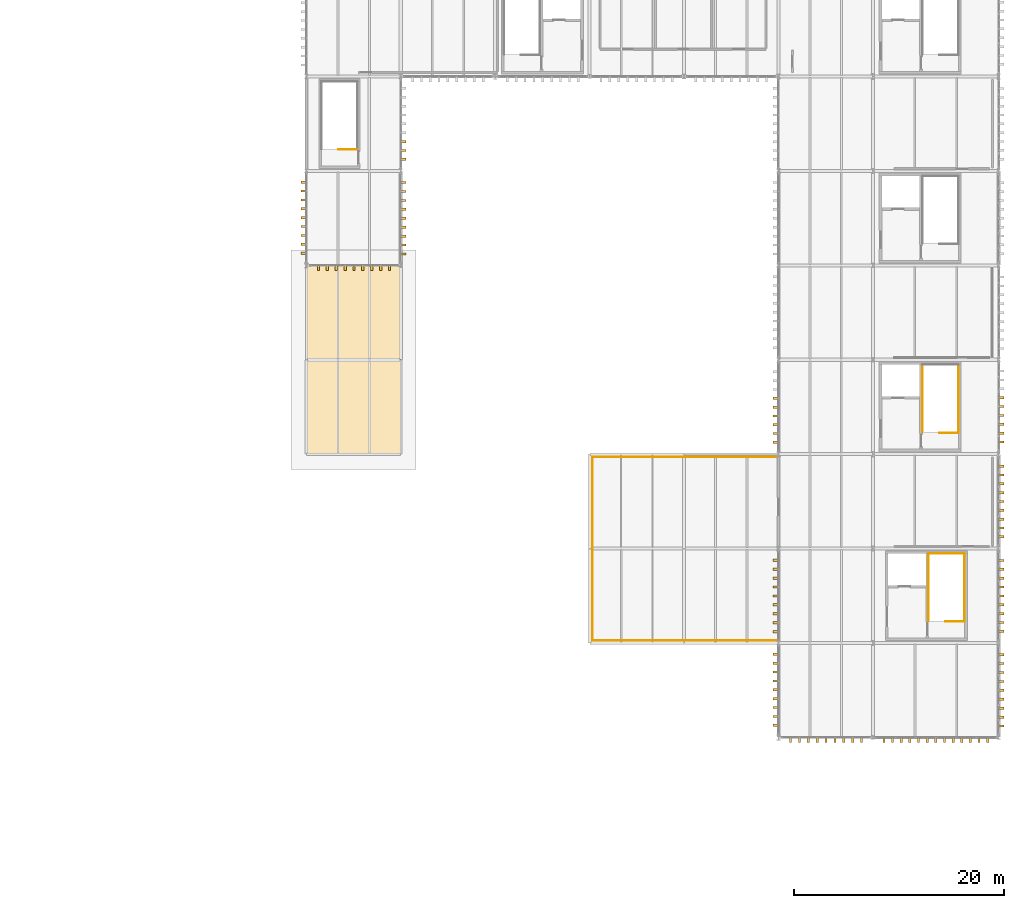
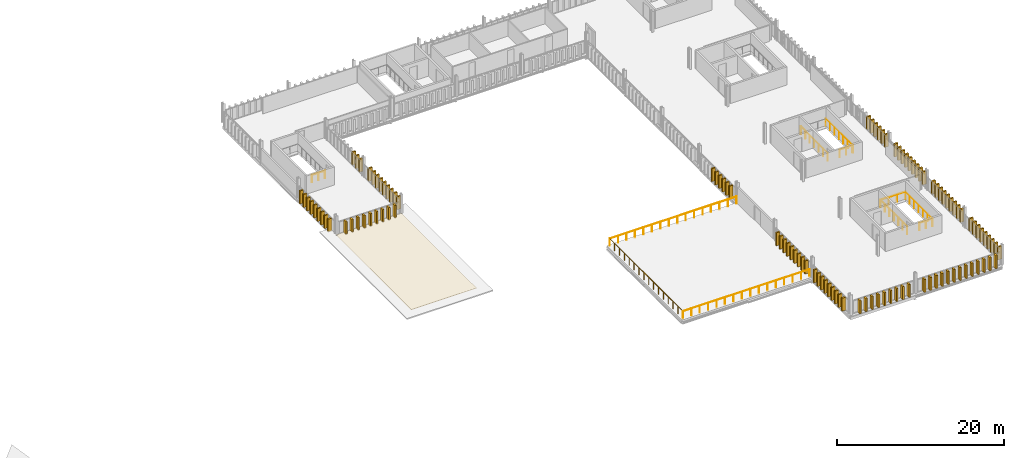
# One storey, part 56 of 58: 109 shading devices, 11 railings, 1 covering.
"""IFC4 building model written with IfcOpenShell, lengths in metres."""

from ifc_helpers import new_model, si_unit, direction, frame, origin, origin_2d, place, context, subcontext, project, spatial, polyline, rectangle, circle, outline, extrude, material, layer, layer_set, type_object, element, save


model = new_model("IFC4")

# Units and contexts
model_context = context("Model", 3, precision=1e-05, world=origin(), true_north=direction((0.0, 1.0)))
body_context = subcontext(model_context, "Body", "Model", "MODEL_VIEW")
ifc_project = project(units=[si_unit("LENGTHUNIT", "METRE"), si_unit("AREAUNIT", "SQUARE_METRE"), si_unit("VOLUMEUNIT", "CUBIC_METRE"), si_unit("PLANEANGLEUNIT", "RADIAN"), si_unit("MASSUNIT", "GRAM", prefix="KILO")], contexts=[model_context])

# Site, building, storey
site_placement = place(None, origin())
site = spatial("IfcSite", under=ifc_project, at=site_placement, CompositionType="ELEMENT")
building_placement = place(site_placement, origin())
building = spatial("IfcBuilding", under=site, at=building_placement, Name="Barlavento Convention Centre", CompositionType="ELEMENT")
storey_placement = place(building_placement, frame((0.0, 0.0, 26.800048828125)))
storey = spatial("IfcBuildingStorey", under=building, at=storey_placement, Name="L05", CompositionType="ELEMENT", Elevation=26.800048828125)

# Covering
ifc_material_1 = material(Name="Insulated typhoon waterproof roofing membrane")
ifc_layer = layer(ifc_material_1, 0.0400390625)
ifc_layer_set = layer_set([ifc_layer], Name="ARC-COV-ROOFING-40")
covering_type = type_object("IfcCoveringType", Name="ARC-COV-ROOFING-40", PredefinedType="ROOFING", material=ifc_layer_set)
covering_placement = place(storey_placement, frame((0.0, 0.0, 0.050048828125)))
element("IfcCovering", 1, at=covering_placement, inside=storey, type_object=covering_type, Name="L05 insulated waterproof roof covering", PredefinedType="ROOFING", context=body_context, shape_type="SweptSolid", body=[
    extrude(outline(polyline([(126.0, 54.0), (135.0, 54.0), (135.0, 72.0), (126.0, 72.0), (126.0, 54.0)])), origin(), (0.0, 0.0, 1.0), 0.039794921875),
])

# Railings
ifc_material_2 = material(Name="Stainless steel and laminated glass balustrade", Category="steel")
railing_type = type_object("IfcRailingType", Name="ARC-RAL-BAL-1100", PredefinedType="BALUSTRADE", material=ifc_material_2)
railing_1_placement = place(storey_placement, frame((153.25, 36.25, 0.0)))
element("IfcRailing", 2, at=railing_1_placement, inside=storey, type_object=railing_type, Name="L05 terrace balustrade GR01", PredefinedType="BALUSTRADE", context=body_context, shape_type="SweptSolid", body=[
    extrude(circle(Radius=0.02392578125, at=origin_2d()), frame((0.0, 0.0, 1.076171875), z_axis=(1.0, 0.0, 0.0), x_axis=(0.0, 1.0, 0.0)), (0.0, 0.0, 1.0), 17.5),
    extrude(circle(Radius=0.02099609375, at=origin_2d()), origin(), (0.0, 0.0, 1.0), 1.052001953125),
    extrude(circle(Radius=0.02099609375, at=origin_2d()), frame((1.166748046875, 0.0, 0.0)), (0.0, 0.0, 1.0), 1.052001953125),
    extrude(circle(Radius=0.02099609375, at=origin_2d()), frame((2.333251953125, 0.0, 0.0)), (0.0, 0.0, 1.0), 1.052001953125),
    extrude(circle(Radius=0.02099609375, at=origin_2d()), frame((3.5, 0.0, 0.0)), (0.0, 0.0, 1.0), 1.052001953125),
    extrude(circle(Radius=0.02099609375, at=origin_2d()), frame((4.666748046875, 0.0, 0.0)), (0.0, 0.0, 1.0), 1.052001953125),
    extrude(circle(Radius=0.02099609375, at=origin_2d()), frame((5.833251953125, 0.0, 0.0)), (0.0, 0.0, 1.0), 1.052001953125),
    extrude(circle(Radius=0.02099609375, at=origin_2d()), frame((7.0, 0.0, 0.0)), (0.0, 0.0, 1.0), 1.052001953125),
    extrude(circle(Radius=0.02099609375, at=origin_2d()), frame((8.166748046875, 0.0, 0.0)), (0.0, 0.0, 1.0), 1.052001953125),
    extrude(circle(Radius=0.02099609375, at=origin_2d()), frame((9.333251953125, 0.0, 0.0)), (0.0, 0.0, 1.0), 1.052001953125),
    extrude(circle(Radius=0.02099609375, at=origin_2d()), frame((10.5, 0.0, 0.0)), (0.0, 0.0, 1.0), 1.052001953125),
    extrude(circle(Radius=0.02099609375, at=origin_2d()), frame((11.666748046875, 0.0, 0.0)), (0.0, 0.0, 1.0), 1.052001953125),
    extrude(circle(Radius=0.02099609375, at=origin_2d()), frame((12.833251953125, 0.0, 0.0)), (0.0, 0.0, 1.0), 1.052001953125),
    extrude(circle(Radius=0.02099609375, at=origin_2d()), frame((14.0, 0.0, 0.0)), (0.0, 0.0, 1.0), 1.052001953125),
    extrude(circle(Radius=0.02099609375, at=origin_2d()), frame((15.166748046875, 0.0, 0.0)), (0.0, 0.0, 1.0), 1.052001953125),
    extrude(circle(Radius=0.02099609375, at=origin_2d()), frame((16.333251953125, 0.0, 0.0)), (0.0, 0.0, 1.0), 1.052001953125),
    extrude(circle(Radius=0.02099609375, at=origin_2d()), frame((17.5, 0.0, 0.0)), (0.0, 0.0, 1.0), 1.052001953125),
])
railing_2_placement = place(storey_placement, frame((153.25, 36.25, 0.0)))
element("IfcRailing", 3, at=railing_2_placement, inside=storey, type_object=railing_type, Name="L05 terrace balustrade GR01", PredefinedType="BALUSTRADE", context=body_context, shape_type="SweptSolid", body=[
    extrude(circle(Radius=0.02392578125, at=origin_2d()), frame((0.0, 0.0, 1.076171875), z_axis=(0.0, 1.0, 0.0), x_axis=(-1.0, 0.0, 0.0)), (0.0, 0.0, 1.0), 17.5),
    extrude(circle(Radius=0.02099609375, at=origin_2d()), origin(), (0.0, 0.0, 1.0), 1.052001953125),
    extrude(circle(Radius=0.02099609375, at=origin_2d()), frame((0.0, 1.166748046875, 0.0)), (0.0, 0.0, 1.0), 1.052001953125),
    extrude(circle(Radius=0.02099609375, at=origin_2d()), frame((0.0, 2.333251953125, 0.0)), (0.0, 0.0, 1.0), 1.052001953125),
    extrude(circle(Radius=0.02099609375, at=origin_2d()), frame((0.0, 3.5, 0.0)), (0.0, 0.0, 1.0), 1.052001953125),
    extrude(circle(Radius=0.02099609375, at=origin_2d()), frame((0.0, 4.666748046875, 0.0)), (0.0, 0.0, 1.0), 1.052001953125),
    extrude(circle(Radius=0.02099609375, at=origin_2d()), frame((0.0, 5.833251953125, 0.0)), (0.0, 0.0, 1.0), 1.052001953125),
    extrude(circle(Radius=0.02099609375, at=origin_2d()), frame((0.0, 7.0, 0.0)), (0.0, 0.0, 1.0), 1.052001953125),
    extrude(circle(Radius=0.02099609375, at=origin_2d()), frame((0.0, 8.166748046875, 0.0)), (0.0, 0.0, 1.0), 1.052001953125),
    extrude(circle(Radius=0.02099609375, at=origin_2d()), frame((0.0, 9.333251953125, 0.0)), (0.0, 0.0, 1.0), 1.052001953125),
    extrude(circle(Radius=0.02099609375, at=origin_2d()), frame((0.0, 10.5, 0.0)), (0.0, 0.0, 1.0), 1.052001953125),
    extrude(circle(Radius=0.02099609375, at=origin_2d()), frame((0.0, 11.666748046875, 0.0)), (0.0, 0.0, 1.0), 1.052001953125),
    extrude(circle(Radius=0.02099609375, at=origin_2d()), frame((0.0, 12.833251953125, 0.0)), (0.0, 0.0, 1.0), 1.052001953125),
    extrude(circle(Radius=0.02099609375, at=origin_2d()), frame((0.0, 14.0, 0.0)), (0.0, 0.0, 1.0), 1.052001953125),
    extrude(circle(Radius=0.02099609375, at=origin_2d()), frame((0.0, 15.166748046875, 0.0)), (0.0, 0.0, 1.0), 1.052001953125),
    extrude(circle(Radius=0.02099609375, at=origin_2d()), frame((0.0, 16.333251953125, 0.0)), (0.0, 0.0, 1.0), 1.052001953125),
    extrude(circle(Radius=0.02099609375, at=origin_2d()), frame((0.0, 17.5, 0.0)), (0.0, 0.0, 1.0), 1.052001953125),
])
railing_3_placement = place(storey_placement, frame((153.25, 53.75, 0.0)))
element("IfcRailing", 4, at=railing_3_placement, inside=storey, type_object=railing_type, Name="L05 terrace balustrade GR01", PredefinedType="BALUSTRADE", context=body_context, shape_type="SweptSolid", body=[
    extrude(circle(Radius=0.02392578125, at=origin_2d()), frame((0.0, 0.0, 1.076171875), z_axis=(1.0, 0.0, 0.0), x_axis=(0.0, 1.0, 0.0)), (0.0, 0.0, 1.0), 17.5),
    extrude(circle(Radius=0.02099609375, at=origin_2d()), origin(), (0.0, 0.0, 1.0), 1.052001953125),
    extrude(circle(Radius=0.02099609375, at=origin_2d()), frame((1.166748046875, 0.0, 0.0)), (0.0, 0.0, 1.0), 1.052001953125),
    extrude(circle(Radius=0.02099609375, at=origin_2d()), frame((2.333251953125, 0.0, 0.0)), (0.0, 0.0, 1.0), 1.052001953125),
    extrude(circle(Radius=0.02099609375, at=origin_2d()), frame((3.5, 0.0, 0.0)), (0.0, 0.0, 1.0), 1.052001953125),
    extrude(circle(Radius=0.02099609375, at=origin_2d()), frame((4.666748046875, 0.0, 0.0)), (0.0, 0.0, 1.0), 1.052001953125),
    extrude(circle(Radius=0.02099609375, at=origin_2d()), frame((5.833251953125, 0.0, 0.0)), (0.0, 0.0, 1.0), 1.052001953125),
    extrude(circle(Radius=0.02099609375, at=origin_2d()), frame((7.0, 0.0, 0.0)), (0.0, 0.0, 1.0), 1.052001953125),
    extrude(circle(Radius=0.02099609375, at=origin_2d()), frame((8.166748046875, 0.0, 0.0)), (0.0, 0.0, 1.0), 1.052001953125),
    extrude(circle(Radius=0.02099609375, at=origin_2d()), frame((9.333251953125, 0.0, 0.0)), (0.0, 0.0, 1.0), 1.052001953125),
    extrude(circle(Radius=0.02099609375, at=origin_2d()), frame((10.5, 0.0, 0.0)), (0.0, 0.0, 1.0), 1.052001953125),
    extrude(circle(Radius=0.02099609375, at=origin_2d()), frame((11.666748046875, 0.0, 0.0)), (0.0, 0.0, 1.0), 1.052001953125),
    extrude(circle(Radius=0.02099609375, at=origin_2d()), frame((12.833251953125, 0.0, 0.0)), (0.0, 0.0, 1.0), 1.052001953125),
    extrude(circle(Radius=0.02099609375, at=origin_2d()), frame((14.0, 0.0, 0.0)), (0.0, 0.0, 1.0), 1.052001953125),
    extrude(circle(Radius=0.02099609375, at=origin_2d()), frame((15.166748046875, 0.0, 0.0)), (0.0, 0.0, 1.0), 1.052001953125),
    extrude(circle(Radius=0.02099609375, at=origin_2d()), frame((16.333251953125, 0.0, 0.0)), (0.0, 0.0, 1.0), 1.052001953125),
    extrude(circle(Radius=0.02099609375, at=origin_2d()), frame((17.5, 0.0, 0.0)), (0.0, 0.0, 1.0), 1.052001953125),
])
railing_4_placement = place(storey_placement, frame((188.14990234375, 56.0400390625, 0.0)))
element("IfcRailing", 5, at=railing_4_placement, inside=storey, type_object=railing_type, Name="L05 ST05 top well guard 1", PredefinedType="BALUSTRADE", context=body_context, shape_type="SweptSolid", body=[
    extrude(circle(Radius=0.02392578125, at=origin_2d()), frame((0.0, 0.0, 1.076171875), z_axis=(-1.0, 0.0, 0.0), x_axis=(0.0, -1.0, 0.0)), (0.0, 0.0, 1.0), 1.81982421875),
    extrude(circle(Radius=0.02099609375, at=origin_2d()), origin(), (0.0, 0.0, 1.0), 1.052001953125),
    extrude(circle(Radius=0.02099609375, at=origin_2d()), frame((-0.909912109375, 0.0, 0.0)), (0.0, 0.0, 1.0), 1.052001953125),
    extrude(circle(Radius=0.02099609375, at=origin_2d()), frame((-1.81982421875, 0.0, 0.0)), (0.0, 0.0, 1.0), 1.052001953125),
])
railing_5_placement = place(storey_placement, frame((188.14990234375, 56.114990234375, 0.0)))
element("IfcRailing", 6, at=railing_5_placement, inside=storey, type_object=railing_type, Name="L05 stairwell perimeter guard GR01", PredefinedType="BALUSTRADE", context=body_context, shape_type="SweptSolid", body=[
    extrude(circle(Radius=0.02392578125, at=origin_2d()), frame((0.0, 0.0, 1.076171875), z_axis=(0.0, 1.0, 0.0), x_axis=(-1.0, 0.0, 0.0)), (0.0, 0.0, 1.0), 6.4150390625),
    extrude(circle(Radius=0.02099609375, at=origin_2d()), origin(), (0.0, 0.0, 1.0), 1.052001953125),
    extrude(circle(Radius=0.02099609375, at=origin_2d()), frame((0.0, 1.069091796875, 0.0)), (0.0, 0.0, 1.0), 1.052001953125),
    extrude(circle(Radius=0.02099609375, at=origin_2d()), frame((0.0, 2.138427734375, 0.0)), (0.0, 0.0, 1.0), 1.052001953125),
    extrude(circle(Radius=0.02099609375, at=origin_2d()), frame((0.0, 3.20751953125, 0.0)), (0.0, 0.0, 1.0), 1.052001953125),
    extrude(circle(Radius=0.02099609375, at=origin_2d()), frame((0.0, 4.276611328125, 0.0)), (0.0, 0.0, 1.0), 1.052001953125),
    extrude(circle(Radius=0.02099609375, at=origin_2d()), frame((0.0, 5.345947265625, 0.0)), (0.0, 0.0, 1.0), 1.052001953125),
    extrude(circle(Radius=0.02099609375, at=origin_2d()), frame((0.0, 6.4150390625, 0.0)), (0.0, 0.0, 1.0), 1.052001953125),
])
railing_6_placement = place(storey_placement, frame((184.7099609375, 62.530029296875, 0.0)))
element("IfcRailing", 7, at=railing_6_placement, inside=storey, type_object=railing_type, Name="L05 stairwell perimeter guard GR01", PredefinedType="BALUSTRADE", context=body_context, shape_type="SweptSolid", body=[
    extrude(circle(Radius=0.02392578125, at=origin_2d()), frame((0.0, 0.0, 1.076171875), z_axis=(0.0, -1.0, 0.0), x_axis=(1.0, 0.0, 0.0)), (0.0, 0.0, 1.0), 6.4150390625),
    extrude(circle(Radius=0.02099609375, at=origin_2d()), origin(), (0.0, 0.0, 1.0), 1.052001953125),
    extrude(circle(Radius=0.02099609375, at=origin_2d()), frame((0.0, -1.069091796875, 0.0)), (0.0, 0.0, 1.0), 1.052001953125),
    extrude(circle(Radius=0.02099609375, at=origin_2d()), frame((0.0, -2.138427734375, 0.0)), (0.0, 0.0, 1.0), 1.052001953125),
    extrude(circle(Radius=0.02099609375, at=origin_2d()), frame((0.0, -3.20751953125, 0.0)), (0.0, 0.0, 1.0), 1.052001953125),
    extrude(circle(Radius=0.02099609375, at=origin_2d()), frame((0.0, -4.276611328125, 0.0)), (0.0, 0.0, 1.0), 1.052001953125),
    extrude(circle(Radius=0.02099609375, at=origin_2d()), frame((0.0, -5.345947265625, 0.0)), (0.0, 0.0, 1.0), 1.052001953125),
    extrude(circle(Radius=0.02099609375, at=origin_2d()), frame((0.0, -6.4150390625, 0.0)), (0.0, 0.0, 1.0), 1.052001953125),
])
railing_7_placement = place(storey_placement, frame((188.75, 38.0400390625, 0.0)))
element("IfcRailing", 8, at=railing_7_placement, inside=storey, type_object=railing_type, Name="L05 ST06 top well guard 1", PredefinedType="BALUSTRADE", context=body_context, shape_type="SweptSolid", body=[
    extrude(circle(Radius=0.02392578125, at=origin_2d()), frame((0.0, 0.0, 1.076171875), z_axis=(-1.0, 0.0, 0.0), x_axis=(0.0, -1.0, 0.0)), (0.0, 0.0, 1.0), 1.820068359375),
    extrude(circle(Radius=0.02099609375, at=origin_2d()), origin(), (0.0, 0.0, 1.0), 1.052001953125),
    extrude(circle(Radius=0.02099609375, at=origin_2d()), frame((-0.91015625, 0.0, 0.0)), (0.0, 0.0, 1.0), 1.052001953125),
    extrude(circle(Radius=0.02099609375, at=origin_2d()), frame((-1.820068359375, 0.0, 0.0)), (0.0, 0.0, 1.0), 1.052001953125),
])
railing_8_placement = place(storey_placement, frame((188.75, 38.114990234375, 0.0)))
element("IfcRailing", 9, at=railing_8_placement, inside=storey, type_object=railing_type, Name="L05 stairwell perimeter guard GR01", PredefinedType="BALUSTRADE", context=body_context, shape_type="SweptSolid", body=[
    extrude(circle(Radius=0.02392578125, at=origin_2d()), frame((0.0, 0.0, 1.076171875), z_axis=(0.0, 1.0, 0.0), x_axis=(-1.0, 0.0, 0.0)), (0.0, 0.0, 1.0), 6.4150390625),
    extrude(circle(Radius=0.02099609375, at=origin_2d()), origin(), (0.0, 0.0, 1.0), 1.052001953125),
    extrude(circle(Radius=0.02099609375, at=origin_2d()), frame((0.0, 1.069091796875, 0.0)), (0.0, 0.0, 1.0), 1.052001953125),
    extrude(circle(Radius=0.02099609375, at=origin_2d()), frame((0.0, 2.138427734375, 0.0)), (0.0, 0.0, 1.0), 1.052001953125),
    extrude(circle(Radius=0.02099609375, at=origin_2d()), frame((0.0, 3.20751953125, 0.0)), (0.0, 0.0, 1.0), 1.052001953125),
    extrude(circle(Radius=0.02099609375, at=origin_2d()), frame((0.0, 4.276611328125, 0.0)), (0.0, 0.0, 1.0), 1.052001953125),
    extrude(circle(Radius=0.02099609375, at=origin_2d()), frame((0.0, 5.345947265625, 0.0)), (0.0, 0.0, 1.0), 1.052001953125),
    extrude(circle(Radius=0.02099609375, at=origin_2d()), frame((0.0, 6.4150390625, 0.0)), (0.0, 0.0, 1.0), 1.052001953125),
])
railing_9_placement = place(storey_placement, frame((188.75, 44.530029296875, 0.0)))
element("IfcRailing", 10, at=railing_9_placement, inside=storey, type_object=railing_type, Name="L05 stairwell perimeter guard GR01", PredefinedType="BALUSTRADE", context=body_context, shape_type="SweptSolid", body=[
    extrude(circle(Radius=0.02392578125, at=origin_2d()), frame((0.0, 0.0, 1.076171875), z_axis=(-1.0, 0.0, 0.0), x_axis=(0.0, -1.0, 0.0)), (0.0, 0.0, 1.0), 3.43994140625),
    extrude(circle(Radius=0.02099609375, at=origin_2d()), origin(), (0.0, 0.0, 1.0), 1.052001953125),
    extrude(circle(Radius=0.02099609375, at=origin_2d()), frame((-1.146728515625, 0.0, 0.0)), (0.0, 0.0, 1.0), 1.052001953125),
    extrude(circle(Radius=0.02099609375, at=origin_2d()), frame((-2.293212890625, 0.0, 0.0)), (0.0, 0.0, 1.0), 1.052001953125),
    extrude(circle(Radius=0.02099609375, at=origin_2d()), frame((-3.43994140625, 0.0, 0.0)), (0.0, 0.0, 1.0), 1.052001953125),
])
railing_10_placement = place(storey_placement, frame((185.31005859375, 44.530029296875, 0.0)))
element("IfcRailing", 11, at=railing_10_placement, inside=storey, type_object=railing_type, Name="L05 stairwell perimeter guard GR01", PredefinedType="BALUSTRADE", context=body_context, shape_type="SweptSolid", body=[
    extrude(circle(Radius=0.02392578125, at=origin_2d()), frame((0.0, 0.0, 1.076171875), z_axis=(0.0, -1.0, 0.0), x_axis=(1.0, 0.0, 0.0)), (0.0, 0.0, 1.0), 6.4150390625),
    extrude(circle(Radius=0.02099609375, at=origin_2d()), origin(), (0.0, 0.0, 1.0), 1.052001953125),
    extrude(circle(Radius=0.02099609375, at=origin_2d()), frame((0.0, -1.069091796875, 0.0)), (0.0, 0.0, 1.0), 1.052001953125),
    extrude(circle(Radius=0.02099609375, at=origin_2d()), frame((0.0, -2.138427734375, 0.0)), (0.0, 0.0, 1.0), 1.052001953125),
    extrude(circle(Radius=0.02099609375, at=origin_2d()), frame((0.0, -3.20751953125, 0.0)), (0.0, 0.0, 1.0), 1.052001953125),
    extrude(circle(Radius=0.02099609375, at=origin_2d()), frame((0.0, -4.276611328125, 0.0)), (0.0, 0.0, 1.0), 1.052001953125),
    extrude(circle(Radius=0.02099609375, at=origin_2d()), frame((0.0, -5.345947265625, 0.0)), (0.0, 0.0, 1.0), 1.052001953125),
    extrude(circle(Radius=0.02099609375, at=origin_2d()), frame((0.0, -6.4150390625, 0.0)), (0.0, 0.0, 1.0), 1.052001953125),
])
railing_11_placement = place(storey_placement, frame((130.85009765625, 83.02001953125, 0.0)))
element("IfcRailing", 12, at=railing_11_placement, inside=storey, type_object=railing_type, Name="L05 ST12 top well guard 1", PredefinedType="BALUSTRADE", context=body_context, shape_type="SweptSolid", body=[
    extrude(circle(Radius=0.02392578125, at=origin_2d()), frame((0.0, 0.0, 1.076171875), z_axis=(-1.0, 0.0, 0.0), x_axis=(0.0, -1.0, 0.0)), (0.0, 0.0, 1.0), 1.800048828125),
    extrude(circle(Radius=0.02099609375, at=origin_2d()), origin(), (0.0, 0.0, 1.0), 1.052001953125),
    extrude(circle(Radius=0.02099609375, at=origin_2d()), frame((-0.89990234375, 0.0, 0.0)), (0.0, 0.0, 1.0), 1.052001953125),
    extrude(circle(Radius=0.02099609375, at=origin_2d()), frame((-1.800048828125, 0.0, 0.0)), (0.0, 0.0, 1.0), 1.052001953125),
])

# Shading devices
ifc_material_3 = material(Name="PVDF white extruded aluminium", Category="aluminium")
shading_device_type = type_object("IfcShadingDeviceType", Name="ARC-SHD-FIN-480", PredefinedType="USERDEFINED", material=ifc_material_3)
for number, where, z_axis, x_axis, name in (
    (13, (192.239990234375, 28.0810546875, 0.0), (0.0, 0.0, 1.0), (0.0, 1.0, 0.0), "White vertical solar shading fin VF01"),
    (14, (192.239990234375, 28.931884765625, 0.0), (0.0, 0.0, 1.0), (0.0, 1.0, 0.0), "White vertical solar shading fin VF01"),
    (15, (192.239990234375, 29.782958984375, 0.0), (0.0, 0.0, 1.0), (0.0, 1.0, 0.0), "White vertical solar shading fin VF01"),
    (16, (192.239990234375, 30.634033203125, 0.0), (0.0, 0.0, 1.0), (0.0, 1.0, 0.0), "White vertical solar shading fin VF01"),
    (17, (192.239990234375, 31.485107421875, 0.0), (0.0, 0.0, 1.0), (0.0, 1.0, 0.0), "White vertical solar shading fin VF01"),
    (18, (192.239990234375, 32.3359375, 0.0), (0.0, 0.0, 1.0), (0.0, 1.0, 0.0), "White vertical solar shading fin VF01"),
    (19, (192.239990234375, 33.18701171875, 0.0), (0.0, 0.0, 1.0), (0.0, 1.0, 0.0), "White vertical solar shading fin VF01"),
    (20, (192.239990234375, 34.0380859375, 0.0), (0.0, 0.0, 1.0), (0.0, 1.0, 0.0), "White vertical solar shading fin VF01"),
    (21, (192.239990234375, 34.888916015625, 0.0), (0.0, 0.0, 1.0), (0.0, 1.0, 0.0), "White vertical solar shading fin VF01"),
    (22, (192.239990234375, 37.10546875, 0.0), (0.0, 0.0, 1.0), (0.0, 1.0, 0.0), "White vertical solar shading fin VF01"),
    (23, (192.239990234375, 37.950927734375, 0.0), (0.0, 0.0, 1.0), (0.0, 1.0, 0.0), "White vertical solar shading fin VF01"),
    (24, (192.239990234375, 38.79638671875, 0.0), (0.0, 0.0, 1.0), (0.0, 1.0, 0.0), "White vertical solar shading fin VF01"),
    (25, (192.239990234375, 39.64208984375, 0.0), (0.0, 0.0, 1.0), (0.0, 1.0, 0.0), "White vertical solar shading fin VF01"),
    (26, (192.239990234375, 40.487548828125, 0.0), (0.0, 0.0, 1.0), (0.0, 1.0, 0.0), "White vertical solar shading fin VF01"),
    (27, (192.239990234375, 41.3330078125, 0.0), (0.0, 0.0, 1.0), (0.0, 1.0, 0.0), "White vertical solar shading fin VF01"),
    (28, (192.239990234375, 42.178466796875, 0.0), (0.0, 0.0, 1.0), (0.0, 1.0, 0.0), "White vertical solar shading fin VF01"),
    (29, (192.239990234375, 43.02392578125, 0.0), (0.0, 0.0, 1.0), (0.0, 1.0, 0.0), "White vertical solar shading fin VF01"),
    (30, (192.239990234375, 43.869384765625, 0.0), (0.0, 0.0, 1.0), (0.0, 1.0, 0.0), "White vertical solar shading fin VF01"),
    (31, (192.239990234375, 46.12548828125, 0.0), (0.0, 0.0, 1.0), (0.0, 1.0, 0.0), "White vertical solar shading fin VF01"),
    (32, (192.239990234375, 46.966064453125, 0.0), (0.0, 0.0, 1.0), (0.0, 1.0, 0.0), "White vertical solar shading fin VF01"),
    (33, (192.239990234375, 47.806396484375, 0.0), (0.0, 0.0, 1.0), (0.0, 1.0, 0.0), "White vertical solar shading fin VF01"),
    (34, (192.239990234375, 48.64697265625, 0.0), (0.0, 0.0, 1.0), (0.0, 1.0, 0.0), "White vertical solar shading fin VF01"),
    (35, (192.239990234375, 49.487548828125, 0.0), (0.0, 0.0, 1.0), (0.0, 1.0, 0.0), "White vertical solar shading fin VF01"),
    (36, (192.239990234375, 50.327880859375, 0.0), (0.0, 0.0, 1.0), (0.0, 1.0, 0.0), "White vertical solar shading fin VF01"),
    (37, (192.239990234375, 51.16845703125, 0.0), (0.0, 0.0, 1.0), (0.0, 1.0, 0.0), "White vertical solar shading fin VF01"),
    (38, (192.239990234375, 52.009033203125, 0.0), (0.0, 0.0, 1.0), (0.0, 1.0, 0.0), "White vertical solar shading fin VF01"),
    (39, (192.239990234375, 52.849609375, 0.0), (0.0, 0.0, 1.0), (0.0, 1.0, 0.0), "White vertical solar shading fin VF01"),
    (40, (192.239990234375, 55.156005859375, 0.0), (0.0, 0.0, 1.0), (0.0, 1.0, 0.0), "White vertical solar shading fin VF01"),
    (41, (192.239990234375, 56.001953125, 0.0), (0.0, 0.0, 1.0), (0.0, 1.0, 0.0), "White vertical solar shading fin VF01"),
    (42, (192.239990234375, 56.847900390625, 0.0), (0.0, 0.0, 1.0), (0.0, 1.0, 0.0), "White vertical solar shading fin VF01"),
    (43, (192.239990234375, 57.694091796875, 0.0), (0.0, 0.0, 1.0), (0.0, 1.0, 0.0), "White vertical solar shading fin VF01"),
    (44, (192.239990234375, 58.5400390625, 0.0), (0.0, 0.0, 1.0), (0.0, 1.0, 0.0), "White vertical solar shading fin VF01"),
    (45, (192.239990234375, 59.385986328125, 0.0), (0.0, 0.0, 1.0), (0.0, 1.0, 0.0), "White vertical solar shading fin VF01"),
    (46, (172.156005859375, 26.760009765625, 0.0), (0.0, 0.0, 1.0), (1.0, 0.0, 0.0), "White vertical solar shading fin VF01"),
    (47, (173.001953125, 26.760009765625, 0.0), (0.0, 0.0, 1.0), (1.0, 0.0, 0.0), "White vertical solar shading fin VF01"),
    (48, (173.847900390625, 26.760009765625, 0.0), (0.0, 0.0, 1.0), (1.0, 0.0, 0.0), "White vertical solar shading fin VF01"),
    (49, (174.694091796875, 26.760009765625, 0.0), (0.0, 0.0, 1.0), (1.0, 0.0, 0.0), "White vertical solar shading fin VF01"),
    (50, (175.5400390625, 26.760009765625, 0.0), (0.0, 0.0, 1.0), (1.0, 0.0, 0.0), "White vertical solar shading fin VF01"),
    (51, (176.385986328125, 26.760009765625, 0.0), (0.0, 0.0, 1.0), (1.0, 0.0, 0.0), "White vertical solar shading fin VF01"),
    (52, (177.23193359375, 26.760009765625, 0.0), (0.0, 0.0, 1.0), (1.0, 0.0, 0.0), "White vertical solar shading fin VF01"),
    (53, (178.077880859375, 26.760009765625, 0.0), (0.0, 0.0, 1.0), (1.0, 0.0, 0.0), "White vertical solar shading fin VF01"),
    (54, (178.924072265625, 26.760009765625, 0.0), (0.0, 0.0, 1.0), (1.0, 0.0, 0.0), "White vertical solar shading fin VF01"),
    (55, (181.05419921875, 26.760009765625, 0.0), (0.0, 0.0, 1.0), (1.0, 0.0, 0.0), "White vertical solar shading fin VF01"),
    (56, (181.878662109375, 26.760009765625, 0.0), (0.0, 0.0, 1.0), (1.0, 0.0, 0.0), "White vertical solar shading fin VF01"),
    (57, (182.702880859375, 26.760009765625, 0.0), (0.0, 0.0, 1.0), (1.0, 0.0, 0.0), "White vertical solar shading fin VF01"),
    (58, (183.527099609375, 26.760009765625, 0.0), (0.0, 0.0, 1.0), (1.0, 0.0, 0.0), "White vertical solar shading fin VF01"),
    (59, (184.351318359375, 26.760009765625, 0.0), (0.0, 0.0, 1.0), (1.0, 0.0, 0.0), "White vertical solar shading fin VF01"),
    (60, (185.17578125, 26.760009765625, 0.0), (0.0, 0.0, 1.0), (1.0, 0.0, 0.0), "White vertical solar shading fin VF01"),
    (61, (186.0, 26.760009765625, 0.0), (0.0, 0.0, 1.0), (1.0, 0.0, 0.0), "White vertical solar shading fin VF01"),
    (62, (186.82421875, 26.760009765625, 0.0), (0.0, 0.0, 1.0), (1.0, 0.0, 0.0), "White vertical solar shading fin VF01"),
    (63, (187.648681640625, 26.760009765625, 0.0), (0.0, 0.0, 1.0), (1.0, 0.0, 0.0), "White vertical solar shading fin VF01"),
    (64, (188.472900390625, 26.760009765625, 0.0), (0.0, 0.0, 1.0), (1.0, 0.0, 0.0), "White vertical solar shading fin VF01"),
    (65, (189.297119140625, 26.760009765625, 0.0), (0.0, 0.0, 1.0), (1.0, 0.0, 0.0), "White vertical solar shading fin VF01"),
    (66, (190.121337890625, 26.760009765625, 0.0), (0.0, 0.0, 1.0), (1.0, 0.0, 0.0), "White vertical solar shading fin VF01"),
    (67, (190.94580078125, 26.760009765625, 0.0), (0.0, 0.0, 1.0), (1.0, 0.0, 0.0), "White vertical solar shading fin VF01"),
    (68, (170.760009765625, 28.156005859375, 0.0), (0.0, 0.0, 1.0), (0.0, 1.0, 0.0), "White vertical solar shading fin VF01"),
    (69, (170.760009765625, 29.001953125, 0.0), (0.0, 0.0, 1.0), (0.0, 1.0, 0.0), "White vertical solar shading fin VF01"),
    (70, (170.760009765625, 29.847900390625, 0.0), (0.0, 0.0, 1.0), (0.0, 1.0, 0.0), "White vertical solar shading fin VF01"),
    (71, (170.760009765625, 30.694091796875, 0.0), (0.0, 0.0, 1.0), (0.0, 1.0, 0.0), "White vertical solar shading fin VF01"),
    (72, (170.760009765625, 31.5400390625, 0.0), (0.0, 0.0, 1.0), (0.0, 1.0, 0.0), "White vertical solar shading fin VF01"),
    (73, (170.760009765625, 32.385986328125, 0.0), (0.0, 0.0, 1.0), (0.0, 1.0, 0.0), "White vertical solar shading fin VF01"),
    (74, (170.760009765625, 33.23193359375, 0.0), (0.0, 0.0, 1.0), (0.0, 1.0, 0.0), "White vertical solar shading fin VF01"),
    (75, (170.760009765625, 34.077880859375, 0.0), (0.0, 0.0, 1.0), (0.0, 1.0, 0.0), "White vertical solar shading fin VF01"),
    (76, (170.760009765625, 34.924072265625, 0.0), (0.0, 0.0, 1.0), (0.0, 1.0, 0.0), "White vertical solar shading fin VF01"),
    (77, (170.760009765625, 37.0810546875, 0.0), (0.0, 0.0, 1.0), (0.0, 1.0, 0.0), "White vertical solar shading fin VF01"),
    (78, (170.760009765625, 37.931884765625, 0.0), (0.0, 0.0, 1.0), (0.0, 1.0, 0.0), "White vertical solar shading fin VF01"),
    (79, (170.760009765625, 38.782958984375, 0.0), (0.0, 0.0, 1.0), (0.0, 1.0, 0.0), "White vertical solar shading fin VF01"),
    (80, (170.760009765625, 39.634033203125, 0.0), (0.0, 0.0, 1.0), (0.0, 1.0, 0.0), "White vertical solar shading fin VF01"),
    (81, (170.760009765625, 40.485107421875, 0.0), (0.0, 0.0, 1.0), (0.0, 1.0, 0.0), "White vertical solar shading fin VF01"),
    (82, (170.760009765625, 41.3359375, 0.0), (0.0, 0.0, 1.0), (0.0, 1.0, 0.0), "White vertical solar shading fin VF01"),
    (83, (170.760009765625, 42.18701171875, 0.0), (0.0, 0.0, 1.0), (0.0, 1.0, 0.0), "White vertical solar shading fin VF01"),
    (84, (170.760009765625, 43.0380859375, 0.0), (0.0, 0.0, 1.0), (0.0, 1.0, 0.0), "White vertical solar shading fin VF01"),
    (85, (170.760009765625, 43.888916015625, 0.0), (0.0, 0.0, 1.0), (0.0, 1.0, 0.0), "White vertical solar shading fin VF01"),
    (86, (170.760009765625, 55.12548828125, 0.0), (0.0, 0.0, 1.0), (0.0, 1.0, 0.0), "White vertical solar shading fin VF01"),
    (87, (170.760009765625, 55.966064453125, 0.0), (0.0, 0.0, 1.0), (0.0, 1.0, 0.0), "White vertical solar shading fin VF01"),
    (88, (170.760009765625, 56.806396484375, 0.0), (0.0, 0.0, 1.0), (0.0, 1.0, 0.0), "White vertical solar shading fin VF01"),
    (89, (170.760009765625, 57.64697265625, 0.0), (0.0, 0.0, 1.0), (0.0, 1.0, 0.0), "White vertical solar shading fin VF01"),
    (90, (170.760009765625, 58.487548828125, 0.0), (0.0, 0.0, 1.0), (0.0, 1.0, 0.0), "White vertical solar shading fin VF01"),
    (91, (170.760009765625, 59.327880859375, 0.0), (0.0, 0.0, 1.0), (0.0, 1.0, 0.0), "White vertical solar shading fin VF01"),
    (92, (135.239990234375, 73.0810546875, 0.0), (0.0, 0.0, 1.0), (0.0, 1.0, 0.0), "White vertical solar shading fin VF01"),
    (93, (135.239990234375, 73.931884765625, 0.0), (0.0, 0.0, 1.0), (0.0, 1.0, 0.0), "White vertical solar shading fin VF01"),
    (94, (135.239990234375, 74.782958984375, 0.0), (0.0, 0.0, 1.0), (0.0, 1.0, 0.0), "White vertical solar shading fin VF01"),
    (95, (135.239990234375, 75.634033203125, 0.0), (0.0, 0.0, 1.0), (0.0, 1.0, 0.0), "White vertical solar shading fin VF01"),
    (96, (135.239990234375, 76.485107421875, 0.0), (0.0, 0.0, 1.0), (0.0, 1.0, 0.0), "White vertical solar shading fin VF01"),
    (97, (135.239990234375, 77.3359375, 0.0), (0.0, 0.0, 1.0), (0.0, 1.0, 0.0), "White vertical solar shading fin VF01"),
    (98, (135.239990234375, 78.18701171875, 0.0), (0.0, 0.0, 1.0), (0.0, 1.0, 0.0), "White vertical solar shading fin VF01"),
    (99, (135.239990234375, 79.0380859375, 0.0), (0.0, 0.0, 1.0), (0.0, 1.0, 0.0), "White vertical solar shading fin VF01"),
    (100, (135.239990234375, 79.888916015625, 0.0), (0.0, 0.0, 1.0), (0.0, 1.0, 0.0), "White vertical solar shading fin VF01"),
    (101, (135.239990234375, 82.10546875, 0.0), (0.0, 0.0, 1.0), (0.0, 1.0, 0.0), "White vertical solar shading fin VF01"),
    (102, (135.239990234375, 82.950927734375, 0.0), (0.0, 0.0, 1.0), (0.0, 1.0, 0.0), "White vertical solar shading fin VF01"),
    (103, (135.239990234375, 83.79638671875, 0.0), (0.0, 0.0, 1.0), (0.0, 1.0, 0.0), "White vertical solar shading fin VF01"),
    (104, (127.156005859375, 71.760009765625, 0.0), (0.0, 0.0, 1.0), (1.0, 0.0, 0.0), "White vertical solar shading fin VF01"),
    (105, (128.001953125, 71.760009765625, 0.0), (0.0, 0.0, 1.0), (1.0, 0.0, 0.0), "White vertical solar shading fin VF01"),
    (106, (128.847900390625, 71.760009765625, 0.0), (0.0, 0.0, 1.0), (1.0, 0.0, 0.0), "White vertical solar shading fin VF01"),
    (107, (129.694091796875, 71.760009765625, 0.0), (0.0, 0.0, 1.0), (1.0, 0.0, 0.0), "White vertical solar shading fin VF01"),
    (108, (130.5400390625, 71.760009765625, 0.0), (0.0, 0.0, 1.0), (1.0, 0.0, 0.0), "White vertical solar shading fin VF01"),
    (109, (131.385986328125, 71.760009765625, 0.0), (0.0, 0.0, 1.0), (1.0, 0.0, 0.0), "White vertical solar shading fin VF01"),
    (110, (132.23193359375, 71.760009765625, 0.0), (0.0, 0.0, 1.0), (1.0, 0.0, 0.0), "White vertical solar shading fin VF01"),
    (111, (133.077880859375, 71.760009765625, 0.0), (0.0, 0.0, 1.0), (1.0, 0.0, 0.0), "White vertical solar shading fin VF01"),
    (112, (133.924072265625, 71.760009765625, 0.0), (0.0, 0.0, 1.0), (1.0, 0.0, 0.0), "White vertical solar shading fin VF01"),
    (113, (125.760009765625, 73.156005859375, 0.0), (0.0, 0.0, 1.0), (0.0, 1.0, 0.0), "White vertical solar shading fin VF01"),
    (114, (125.760009765625, 74.001953125, 0.0), (0.0, 0.0, 1.0), (0.0, 1.0, 0.0), "White vertical solar shading fin VF01"),
    (115, (125.760009765625, 74.847900390625, 0.0), (0.0, 0.0, 1.0), (0.0, 1.0, 0.0), "White vertical solar shading fin VF01"),
    (116, (125.760009765625, 75.694091796875, 0.0), (0.0, 0.0, 1.0), (0.0, 1.0, 0.0), "White vertical solar shading fin VF01"),
    (117, (125.760009765625, 76.5400390625, 0.0), (0.0, 0.0, 1.0), (0.0, 1.0, 0.0), "White vertical solar shading fin VF01"),
    (118, (125.760009765625, 77.385986328125, 0.0), (0.0, 0.0, 1.0), (0.0, 1.0, 0.0), "White vertical solar shading fin VF01"),
    (119, (125.760009765625, 78.23193359375, 0.0), (0.0, 0.0, 1.0), (0.0, 1.0, 0.0), "White vertical solar shading fin VF01"),
    (120, (125.760009765625, 79.077880859375, 0.0), (0.0, 0.0, 1.0), (0.0, 1.0, 0.0), "White vertical solar shading fin VF01"),
    (121, (125.760009765625, 79.924072265625, 0.0), (0.0, 0.0, 1.0), (0.0, 1.0, 0.0), "White vertical solar shading fin VF01"),
):
    element("IfcShadingDevice", number, at=place(storey_placement, frame(where, z_axis=z_axis, x_axis=x_axis)), inside=storey, type_object=shading_device_type, Name=name, ObjectType="FIN", PredefinedType="USERDEFINED", context=body_context, shape_type="SweptSolid", body=[
        extrude(rectangle(XDim=0.219970703125, YDim=0.52001953125, at=origin_2d()), origin(), (0.0, 0.0, 1.0), 1.89990234375),
    ])

save(model, "model.ifc")
